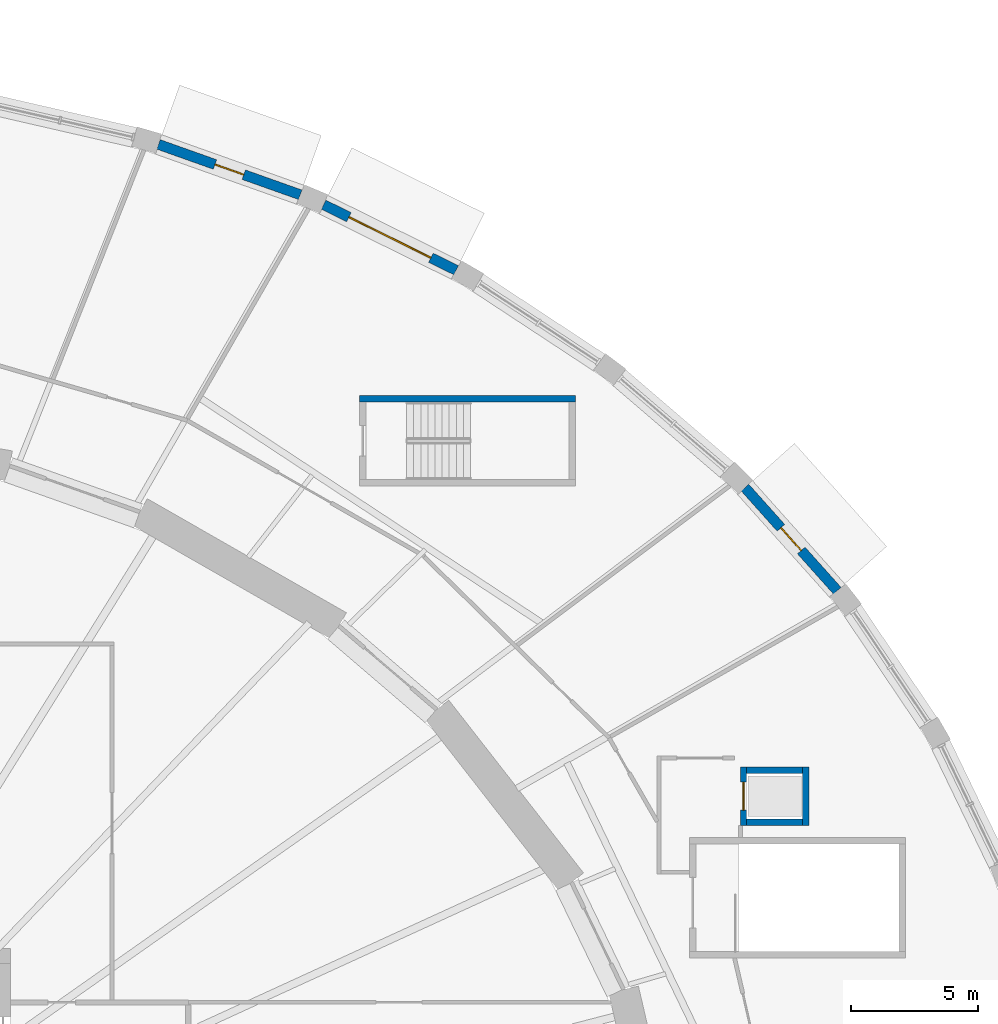
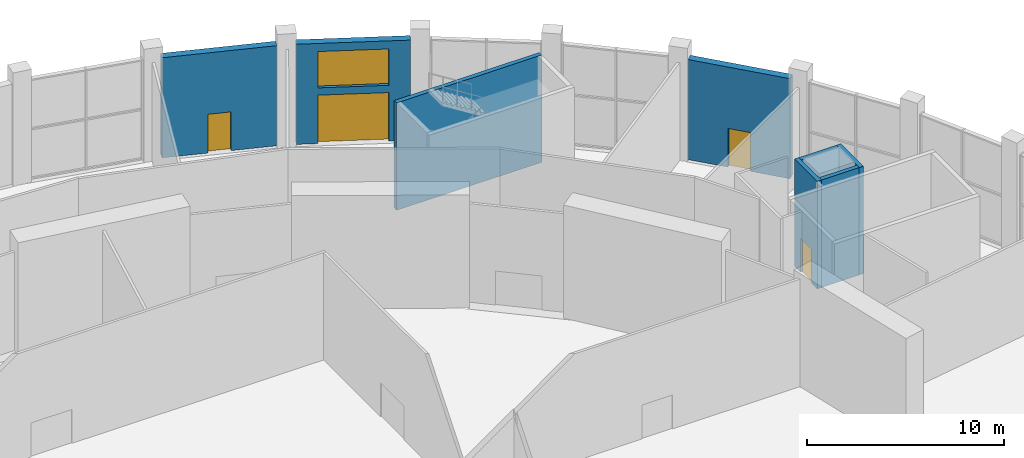
# One storey, part 28 of 33: 8 walls, 4 doors, 1 window, 5 openings.
"""IFC4 building model written with IfcOpenShell, lengths in metres."""

import ifcopenshell
import ifcopenshell.guid

model = None  # the IFC model being written
_history = None  # IfcOwnerHistory: only IFC2X3 demands one
_inside = {}  # id of a spatial element -> (the spatial element, [elements in it])
_under = {}  # id of a project, library or spatial element -> (it, [spatial elements below it])
_declared = {}  # id of a project -> (the project, [libraries it declares])
_typed = {}  # id of a type object -> (the type object, [elements of that type])
_made_of = {}  # id of a material, layer set ... -> (it, [elements and type objects made of it])


def new_model(schema):
    """Start an empty IFC model of exactly this schema.

    Asked for "IFC4X3", IfcOpenShell would pick the latest addendum, in which some entities
    have other attributes; the version numbers below select the first issue.
    IFC2X3 requires an IfcOwnerHistory on every rooted entity: one is made here for all.
    """
    global model, _history
    if schema == "IFC4X3":
        model = ifcopenshell.file(schema_version=(4, 3, 0, 0))
    else:
        model = ifcopenshell.file(schema=schema)
    _inside.clear()
    _under.clear()
    _declared.clear()
    _typed.clear()
    _made_of.clear()
    _history = None
    if model.schema == "IFC2X3":
        org = make("IfcOrganization", Name="unknown")
        user = make(
            "IfcPersonAndOrganization",
            ThePerson=make("IfcPerson", FamilyName="unknown"),
            TheOrganization=org,
        )
        app = make(
            "IfcApplication",
            ApplicationDeveloper=org,
            Version="unknown",
            ApplicationFullName="unknown",
            ApplicationIdentifier="unknown",
        )
        _history = make(
            "IfcOwnerHistory",
            OwningUser=user,
            OwningApplication=app,
            ChangeAction="ADDED",
            CreationDate=0,
        )
    return model


def make(cls, **values):
    """One entity of the class cls with the attributes given. An attribute that is None is left unset."""
    return model.create_entity(
        cls, **{name: value for name, value in values.items() if value is not None}
    )


def rooted(cls, **values):
    """An entity with a GlobalId (a new one), such as an element, a storey or a relation."""
    return make(cls, GlobalId=ifcopenshell.guid.new(), OwnerHistory=_history, **values)


def si_unit(unit_type, name, prefix=None):
    """IfcSIUnit, for example si_unit("LENGTHUNIT", "METRE", prefix="MILLI")."""
    return make("IfcSIUnit", UnitType=unit_type, Prefix=prefix, Name=name)


def assignment(units):
    """IfcUnitAssignment: the units of a project."""
    return None if units is None else make("IfcUnitAssignment", Units=units)


def point(xyz):
    """IfcCartesianPoint."""
    return None if xyz is None else make("IfcCartesianPoint", Coordinates=xyz)


def direction(xyz):
    """IfcDirection."""
    return None if xyz is None else make("IfcDirection", DirectionRatios=xyz)


def frame(location, z_axis=None, x_axis=None):
    """IfcAxis2Placement3D, a coordinate frame: its origin and axes. An axis left out is left unset."""
    return make(
        "IfcAxis2Placement3D",
        Location=point(location),
        Axis=direction(z_axis),
        RefDirection=direction(x_axis),
    )


def frame_2d(location, x_axis=None):
    """IfcAxis2Placement2D, a coordinate frame in the plane: its origin and x axis."""
    return make(
        "IfcAxis2Placement2D", Location=point(location), RefDirection=direction(x_axis)
    )


def origin():
    """The frame at (0, 0, 0) with its axes left unset."""
    return frame((0.0, 0.0, 0.0))


def place(relative_to, where):
    """IfcLocalPlacement: puts the frame where relative to a parent placement (None: the world)."""
    return make(
        "IfcLocalPlacement", PlacementRelTo=relative_to, RelativePlacement=where
    )


def context(
    kind, dimensions, precision=None, world=None, true_north=None, identifier=None
):
    """IfcGeometricRepresentationContext, for example the 3D "Model" context."""
    return make(
        "IfcGeometricRepresentationContext",
        ContextIdentifier=identifier,
        ContextType=kind,
        CoordinateSpaceDimension=dimensions,
        Precision=precision,
        WorldCoordinateSystem=world,
        TrueNorth=true_north,
    )


def subcontext(parent, identifier, kind, view, scale=None):
    """IfcGeometricRepresentationSubContext, for example "Body" below "Model"."""
    return make(
        "IfcGeometricRepresentationSubContext",
        ContextIdentifier=identifier,
        ContextType=kind,
        ParentContext=parent,
        TargetScale=scale,
        TargetView=view,
    )


def project(units=None, contexts=None):
    """IfcProject with its units and contexts."""
    return rooted(
        "IfcProject",
        Name="project",
        RepresentationContexts=contexts,
        UnitsInContext=assignment(units),
    )


def spatial(cls, under=None, at=None, **own):
    """A site, building, storey or space (cls), placed at a placement, below another one or the project."""
    s = rooted(cls, ObjectPlacement=at, **own)
    if under is not None:
        _under.setdefault(under.id(), (under, []))[1].append(s)
    return s


def profile(cls, at=None, kind="AREA", **sizes):
    """A parametric profile (cls). Its sizes go by their IFC names, for example OverallWidth=200.0."""
    return make(cls, ProfileType=kind, Position=at, **sizes)


def rectangle(**sizes):
    """IfcRectangleProfileDef."""
    return profile("IfcRectangleProfileDef", **sizes)


def extrude(swept, where, along, depth):
    """IfcExtrudedAreaSolid: the profile swept, set in the frame where, extruded along a direction by depth."""
    return make(
        "IfcExtrudedAreaSolid",
        SweptArea=swept,
        Position=where,
        ExtrudedDirection=direction(along),
        Depth=depth,
    )


def shape(context_of_items, identifier, shape_type, items):
    """IfcShapeRepresentation: the items that make up one representation, for example the "Body"."""
    return make(
        "IfcShapeRepresentation",
        ContextOfItems=context_of_items,
        RepresentationIdentifier=identifier,
        RepresentationType=shape_type,
        Items=items,
    )


def material(Name=None, Category=None):
    """IfcMaterial."""
    return make("IfcMaterial", Name=Name, Category=Category)


def layer(
    of_material, thickness, ventilated=None, Name=None, Category=None, Priority=None
):
    """IfcMaterialLayer: one layer of a wall or slab, of a material (None: an air gap)."""
    return make(
        "IfcMaterialLayer",
        Material=of_material,
        LayerThickness=thickness,
        IsVentilated=ventilated,
        Name=Name,
        Category=Category,
        Priority=Priority,
    )


def layer_set(layers, Name=None):
    """IfcMaterialLayerSet."""
    return make("IfcMaterialLayerSet", MaterialLayers=layers, LayerSetName=Name)


def made_of(thing, what):
    """Note that an element or type object is made of a material, layer set ...; save() writes the relation."""
    if what is not None:
        _made_of.setdefault(what.id(), (what, []))[1].append(thing)
    return thing


def type_object(cls, material=None, **own):
    """A type object (cls), such as IfcWallType, which elements share."""
    return made_of(rooted(cls, **own), material)


def element(
    cls,
    number,
    at=None,
    inside=None,
    cuts=None,
    type_object=None,
    material=None,
    context=None,
    identifier="Body",
    shape_type=None,
    held_by="IfcProductDefinitionShape",
    body=None,
    shapes=None,
    **own,
):
    """One element of the class cls, such as IfcWall. Its Tag is "e" and its number.

    at: its placement. inside: the storey or other place that contains it. cuts: it is an
    opening in that element (IfcRelVoidsElement). A single representation is given by context,
    identifier, shape_type and body (its items); several are given by shapes. held_by: the class
    of the entity that holds the representations. save() writes the other relations.
    """
    e = rooted(cls, Tag="e%d" % number, ObjectPlacement=at, **own)
    if body is not None:
        shapes = [shape(context, identifier, shape_type, body)]
    if shapes is not None:
        e.Representation = make(held_by, Representations=shapes)
    if inside is not None:
        _inside.setdefault(inside.id(), (inside, []))[1].append(e)
    if cuts is not None:
        rooted(
            "IfcRelVoidsElement", RelatingBuildingElement=cuts, RelatedOpeningElement=e
        )
    if type_object is not None:
        _typed.setdefault(type_object.id(), (type_object, []))[1].append(e)
    return made_of(e, material)


def fill(opening, filler):
    """IfcRelFillsElement: the door or window that sits in an opening."""
    return rooted(
        "IfcRelFillsElement",
        RelatingOpeningElement=opening,
        RelatedBuildingElement=filler,
    )


def aggregate(whole, parts):
    """IfcRelAggregates: a whole, such as a stair, and the parts it consists of."""
    return rooted("IfcRelAggregates", RelatingObject=whole, RelatedObjects=parts)


def save(model, path):
    """Write the relations noted so far, then the file.

    IfcRelAggregates (storeys below a building ...), IfcRelContainedInSpatialStructure (elements
    in a storey), IfcRelDefinesByType, IfcRelAssociatesMaterial and IfcRelDeclares: one each for
    every whole, place, type object, material and project.
    """
    for whole, parts in _under.values():
        aggregate(whole, parts)
    for where, things in _inside.values():
        rooted(
            "IfcRelContainedInSpatialStructure",
            RelatedElements=things,
            RelatingStructure=where,
        )
    for kind, things in _typed.values():
        rooted("IfcRelDefinesByType", RelatedObjects=things, RelatingType=kind)
    for what, things in _made_of.values():
        rooted("IfcRelAssociatesMaterial", RelatedObjects=things, RelatingMaterial=what)
    for by, libraries in _declared.values():
        rooted("IfcRelDeclares", RelatingContext=by, RelatedDefinitions=libraries)
    model.write(path)


model = new_model("IFC4")

# Units and contexts
model_context = context("Model", 3, precision=1e-05, world=origin(), true_north=direction((0.0, 1.0)))
body_context = subcontext(model_context, "Body", "Model", "MODEL_VIEW")
ifc_project = project(units=[si_unit("LENGTHUNIT", "METRE"), si_unit("AREAUNIT", "SQUARE_METRE"), si_unit("VOLUMEUNIT", "CUBIC_METRE"), si_unit("PLANEANGLEUNIT", "RADIAN"), si_unit("MASSUNIT", "GRAM", prefix="KILO")], contexts=[model_context])

# Site, building, storey
site_placement = place(None, origin())
site = spatial("IfcSite", under=ifc_project, at=site_placement, CompositionType="ELEMENT")
building_placement = place(site_placement, origin())
building = spatial("IfcBuilding", under=site, at=building_placement, Name="Halqa Exchange Tower", CompositionType="ELEMENT")
storey_placement = place(building_placement, origin())
storey = spatial("IfcBuildingStorey", under=building, at=storey_placement, Name="L00", CompositionType="ELEMENT", Elevation=0.0)

# Wall, opening, door
ifc_material_1 = material(Name="Gypsum board")
ifc_layer_1 = layer(ifc_material_1, 0.25)
ifc_layer_set_1 = layer_set([ifc_layer_1], Name="Gypsum board")
wall_type_1 = type_object("IfcWallType", Name="Penthouse riser wall 250 gypsum", PredefinedType="PARTITIONING", material=ifc_layer_set_1)
wall_1_placement = place(storey_placement, frame((40.875, 16.85009765625, 0.0), z_axis=(0.0, 0.0, 1.0), x_axis=(0.0, 1.0, 0.0)))
wall_1 = element("IfcWall", 1, at=wall_1_placement, inside=storey, type_object=wall_type_1, Name="Station lift AL1 wall west", PredefinedType="PARTITIONING", context=body_context, shape_type="SweptSolid", body=[
    extrude(rectangle(XDim=2.2998046875, YDim=0.25, at=frame_2d((1.14990234375, 0.0))), origin(), (0.0, 0.0, 1.0), 6.64990234375),
])
opening_1_placement = place(wall_1_placement, frame((0.60009765625, 0.0, 0.0)))
opening_1 = element("IfcOpeningElement", 2, at=opening_1_placement, cuts=wall_1, Name="Opening LD-AL1-L00", PredefinedType="OPENING", context=body_context, shape_type="SweptSolid", body=[
    extrude(rectangle(XDim=1.10009765625, YDim=2.10009765625, at=frame_2d((0.550048828125, 1.050048828125))), frame((0.0, 0.136962890625, 0.0), z_axis=(0.0, -1.0, 0.0), x_axis=(1.0, 0.0, 0.0)), (0.0, 0.0, 1.0), 0.27392578125),
])
ifc_material_2 = material(Name="Stainless steel", Category="steel")
door_type_1 = type_object("IfcDoorType", Name="Lift landing door 1100 x 2100", OperationType="SLIDING_TO_LEFT", PredefinedType="DOOR", material=ifc_material_2)
door_1_placement = place(opening_1_placement, origin())
door_1 = element("IfcDoor", 3, at=door_1_placement, inside=storey, type_object=door_type_1, Name="Lift landing door AL1", OperationType="SLIDING_TO_LEFT", OverallHeight=2.10009765625, OverallWidth=1.10009765625, PredefinedType="DOOR", context=body_context, shape_type="SweptSolid", body=[
    extrude(rectangle(XDim=1.10009765625, YDim=2.10009765625, at=frame_2d((0.550048828125, 1.050048828125))), frame((0.0, 0.02490234375, 0.0), z_axis=(0.0, -1.0, 0.0), x_axis=(1.0, 0.0, 0.0)), (0.0, 0.0, 1.0), 0.050048828125),
])
fill(opening_1, door_1)

# Walls
wall_2_placement = place(storey_placement, frame((43.324951171875, 16.85009765625, 0.0), z_axis=(0.0, 0.0, 1.0), x_axis=(0.0, 1.0, 0.0)))
element("IfcWall", 4, at=wall_2_placement, inside=storey, type_object=wall_type_1, Name="Station lift AL1 wall east", PredefinedType="PARTITIONING", context=body_context, shape_type="SweptSolid", body=[
    extrude(rectangle(XDim=2.2998046875, YDim=0.25, at=frame_2d((1.14990234375, 0.0))), origin(), (0.0, 0.0, 1.0), 6.64990234375),
])
for number, where, z_axis, x_axis, name in (
    (5, (41.0, 19.02490234375, 0.0), (0.0, 0.0, 1.0), (1.0, 0.0, 0.0), "Station lift AL1 wall north"),
    (6, (41.0, 16.97509765625, 0.0), (0.0, 0.0, 1.0), (1.0, 0.0, 0.0), "Station lift AL1 wall south"),
):
    element("IfcWall", number, at=place(storey_placement, frame(where, z_axis=z_axis, x_axis=x_axis)), inside=storey, type_object=wall_type_1, Name=name, PredefinedType="PARTITIONING", context=body_context, shape_type="SweptSolid", body=[
        extrude(rectangle(XDim=2.199951171875, YDim=0.25, at=frame_2d((1.10009765625, 0.0))), origin(), (0.0, 0.0, 1.0), 6.64990234375),
    ])
ifc_material_3 = material(Name="Concrete C30/37", Category="concrete")
ifc_layer_2 = layer(ifc_material_3, 0.25)
ifc_layer_set_2 = layer_set([ifc_layer_2], Name="Concrete C30/37")
wall_type_2 = type_object("IfcWallType", Name="RC stair wall 250 C30/37", PredefinedType="SHEAR", material=ifc_layer_set_2)
wall_3_placement = place(storey_placement, frame((25.75, 33.64990234375, 0.0), z_axis=(0.0, 0.0, 1.0), x_axis=(1.0, 0.0, 0.0)))
element("IfcWall", 7, at=wall_3_placement, inside=storey, type_object=wall_type_2, Name="Stair PS1 wall north", PredefinedType="SHEAR", context=body_context, shape_type="SweptSolid", body=[
    extrude(rectangle(XDim=8.5, YDim=0.25, at=frame_2d((4.25, 0.0))), origin(), (0.0, 0.0, 1.0), 6.64990234375),
])

# Wall, opening, door
ifc_material_4 = material(Name="Limestone cladding", Category="masonry")
ifc_layer_3 = layer(ifc_material_4, 0.0400390625)
ifc_material_5 = material(Name="Ventilated cavity")
ifc_layer_4 = layer(ifc_material_5, 0.030029296875, ventilated=True)
ifc_material_6 = material(Name="Mineral wool insulation")
ifc_layer_5 = layer(ifc_material_6, 0.1201171875)
ifc_layer_6 = layer(ifc_material_3, 0.179931640625)
ifc_material_7 = material(Name="Internal plaster")
ifc_layer_7 = layer(ifc_material_7, 0.030029296875)
ifc_layer_set_3 = layer_set([ifc_layer_3, ifc_layer_4, ifc_layer_5, ifc_layer_6, ifc_layer_7], Name="Stone-faced insulated wall 400")
wall_type_3 = type_object("IfcWallType", Name="Stone-faced insulated wall 400", PredefinedType="STANDARD", material=ifc_layer_set_3)
wall_4_placement = place(storey_placement, frame((44.56591796875, 26.095458984375, 0.0), z_axis=(0.0, 0.0, 1.0), x_axis=(-0.666902265084, 0.745145199827, 0.0)))
wall_4 = element("IfcWall", 8, at=wall_4_placement, inside=storey, type_object=wall_type_3, Name="Podium wall 5", PredefinedType="STANDARD", context=body_context, shape_type="SweptSolid", body=[
    extrude(rectangle(XDim=5.447998046875, YDim=0.39990234375, at=frame_2d((2.72412109375, 0.0))), origin(), (0.0, 0.0, 1.0), 6.199951171875),
])
opening_2_placement = place(wall_4_placement, frame((2.1240234375, 0.0, 0.0)))
opening_2 = element("IfcOpeningElement", 9, at=opening_2_placement, cuts=wall_4, Name="Opening FC-01", PredefinedType="OPENING", context=body_context, shape_type="SweptSolid", body=[
    extrude(rectangle(XDim=1.199951171875, YDim=2.39990234375, at=frame_2d((0.60009765625, 1.199951171875))), frame((0.0, 0.2119140625, 0.0), z_axis=(0.0, -1.0, 0.0), x_axis=(1.0, 0.0, 0.0)), (0.0, 0.0, 1.0), 0.423828125),
])
ifc_material_8 = material(Name="Clear low-emissivity glass in aluminium frame", Category="aluminium")
door_type_2 = type_object("IfcDoorType", Name="Steel exit door 1200 x 2400", OperationType="SINGLE_SWING_LEFT", PredefinedType="DOOR", material=ifc_material_8)
door_2_placement = place(opening_2_placement, frame((1.199951171875, 0.0, 0.0), z_axis=(0.0, 0.0, 1.0), x_axis=(-1.0, 0.0, 0.0)))
door_2 = element("IfcDoor", 10, at=door_2_placement, inside=storey, type_object=door_type_2, Name="Fire command room door", OperationType="SINGLE_SWING_RIGHT", OverallHeight=2.39990234375, OverallWidth=1.199951171875, PredefinedType="DOOR", context=body_context, shape_type="SweptSolid", body=[
    extrude(rectangle(XDim=1.199951171875, YDim=2.39990234375, at=frame_2d((0.60009765625, 1.199951171875))), frame((0.0, 0.02490234375, 0.0), z_axis=(0.0, -1.0, 0.0), x_axis=(1.0, 0.0, 0.0)), (0.0, 0.0, 1.0), 0.050048828125),
])
fill(opening_2, door_2)

# Wall, openings, door, window
wall_5_placement = place(storey_placement, frame((29.552734375, 38.71875, 0.0), z_axis=(0.0, 0.0, 1.0), x_axis=(-0.896188687727, 0.443673118399, 0.0)))
wall_5 = element("IfcWall", 11, at=wall_5_placement, inside=storey, type_object=wall_type_3, Name="Podium wall 8", PredefinedType="STANDARD", context=body_context, shape_type="SweptSolid", body=[
    extrude(rectangle(XDim=5.82568359375, YDim=0.39990234375, at=frame_2d((2.912841796875, 0.0))), origin(), (0.0, 0.0, 1.0), 6.199951171875),
])
opening_3_placement = place(wall_5_placement, frame((1.11279296875, 0.0, 0.0)))
opening_3 = element("IfcOpeningElement", 12, at=opening_3_placement, cuts=wall_5, Name="Opening EN1-01", PredefinedType="OPENING", context=body_context, shape_type="SweptSolid", body=[
    extrude(rectangle(XDim=3.60009765625, YDim=3.0, at=frame_2d((1.800048828125, 1.5))), frame((0.0, 0.2119140625, 0.0), z_axis=(0.0, -1.0, 0.0), x_axis=(1.0, 0.0, 0.0)), (0.0, 0.0, 1.0), 0.423828125),
])
opening_4_placement = place(wall_5_placement, frame((1.11279296875, 0.0, 3.449951171875)))
opening_4 = element("IfcOpeningElement", 13, at=opening_4_placement, cuts=wall_5, Name="Opening WE-01", PredefinedType="OPENING", context=body_context, shape_type="SweptSolid", body=[
    extrude(rectangle(XDim=3.60009765625, YDim=2.25, at=frame_2d((1.800048828125, 1.125))), frame((0.0, 0.2119140625, 0.0), z_axis=(0.0, -1.0, 0.0), x_axis=(1.0, 0.0, 0.0)), (0.0, 0.0, 1.0), 0.423828125),
])
door_type_3 = type_object("IfcDoorType", Name="Automatic sliding entrance door 3600 x 3000", OperationType="DOUBLE_DOOR_SLIDING", PredefinedType="DOOR", material=ifc_material_8)
door_3_placement = place(opening_3_placement, frame((3.60009765625, 0.0, 0.0), z_axis=(0.0, 0.0, 1.0), x_axis=(-1.0, 0.0, 0.0)))
door_3 = element("IfcDoor", 14, at=door_3_placement, inside=storey, type_object=door_type_3, Name="Entrance door 1", OperationType="DOUBLE_DOOR_SLIDING", OverallHeight=3.0, OverallWidth=3.60009765625, PredefinedType="DOOR", context=body_context, shape_type="SweptSolid", body=[
    extrude(rectangle(XDim=3.60009765625, YDim=3.0, at=frame_2d((1.800048828125, 1.5))), frame((0.0, 0.02490234375, 0.0), z_axis=(0.0, -1.0, 0.0), x_axis=(1.0, 0.0, 0.0)), (0.0, 0.0, 1.0), 0.050048828125),
])
fill(opening_3, door_3)
window_type = type_object("IfcWindowType", Name="Fixed clear entrance window 3600 x 2250", PartitioningType="TRIPLE_PANEL_VERTICAL", PredefinedType="WINDOW", material=ifc_material_8)
window_placement = place(opening_4_placement, origin())
window = element("IfcWindow", 15, at=window_placement, inside=storey, type_object=window_type, Name="Entrance window", OverallHeight=2.25, OverallWidth=3.60009765625, PartitioningType="TRIPLE_PANEL_VERTICAL", PredefinedType="WINDOW", context=body_context, shape_type="SweptSolid", body=[
    extrude(rectangle(XDim=3.60009765625, YDim=2.25, at=frame_2d((1.800048828125, 1.125))), frame((0.0, 0.030029296875, 0.0), z_axis=(0.0, -1.0, 0.0), x_axis=(1.0, 0.0, 0.0)), (0.0, 0.0, 1.0), 0.06005859375),
])
fill(opening_4, window)

# Wall, opening, door
wall_6_placement = place(storey_placement, frame((23.412353515625, 41.6923828125, 0.0), z_axis=(0.0, 0.0, 1.0), x_axis=(-0.942325911458, 0.334696693431, 0.0)))
wall_6 = element("IfcWall", 16, at=wall_6_placement, inside=storey, type_object=wall_type_3, Name="Podium wall 9", PredefinedType="STANDARD", context=body_context, shape_type="SweptSolid", body=[
    extrude(rectangle(XDim=5.92529296875, YDim=0.39990234375, at=frame_2d((2.962646484375, 0.0))), origin(), (0.0, 0.0, 1.0), 6.199951171875),
])
opening_5_placement = place(wall_6_placement, frame((2.362548828125, 0.0, 0.0)))
opening_5 = element("IfcOpeningElement", 17, at=opening_5_placement, cuts=wall_6, Name="Opening SD-01", PredefinedType="OPENING", context=body_context, shape_type="SweptSolid", body=[
    extrude(rectangle(XDim=1.199951171875, YDim=2.39990234375, at=frame_2d((0.60009765625, 1.199951171875))), frame((0.0, 0.2119140625, 0.0), z_axis=(0.0, -1.0, 0.0), x_axis=(1.0, 0.0, 0.0)), (0.0, 0.0, 1.0), 0.423828125),
])
door_type_4 = type_object("IfcDoorType", Name="Steel service door 1200 x 2400", OperationType="SINGLE_SWING_LEFT", PredefinedType="DOOR", material=ifc_material_8)
door_4_placement = place(opening_5_placement, frame((1.199951171875, 0.0, 0.0), z_axis=(0.0, 0.0, 1.0), x_axis=(-1.0, 0.0, 0.0)))
door_4 = element("IfcDoor", 18, at=door_4_placement, inside=storey, type_object=door_type_4, Name="Service door 1", OperationType="SINGLE_SWING_LEFT", OverallHeight=2.39990234375, OverallWidth=1.199951171875, PredefinedType="DOOR", context=body_context, shape_type="SweptSolid", body=[
    extrude(rectangle(XDim=1.199951171875, YDim=2.39990234375, at=frame_2d((0.60009765625, 1.199951171875))), frame((0.0, 0.02490234375, 0.0), z_axis=(0.0, -1.0, 0.0), x_axis=(1.0, 0.0, 0.0)), (0.0, 0.0, 1.0), 0.050048828125),
])
fill(opening_5, door_4)

save(model, "model.ifc")
